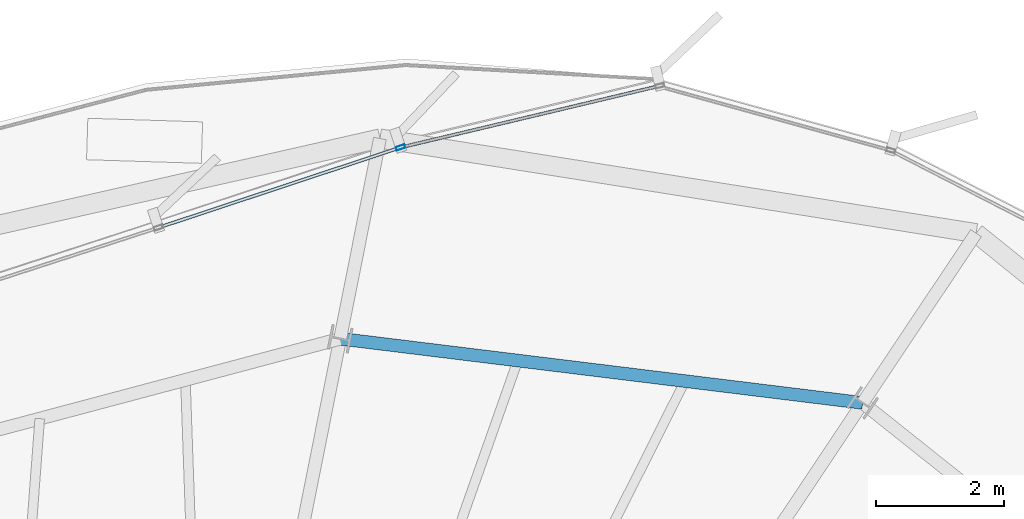
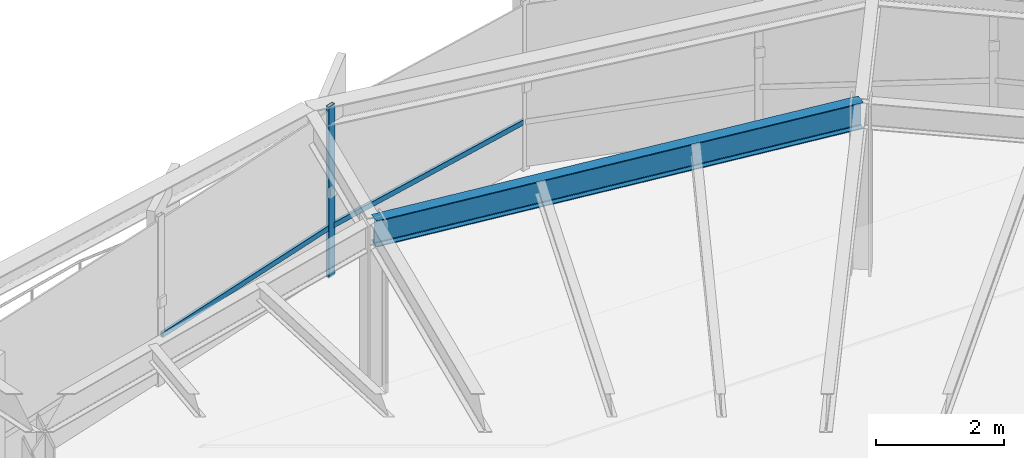
# One storey, part 22 of 33: 3 members, 1 beam, 1 element without a shape of its own.
"""IFC4 building model written with IfcOpenShell, lengths in metres."""

from ifc_helpers import new_model, si_unit, direction, frame, origin, origin_2d, place, context, subcontext, project, spatial, hollow_rectangle, i_section, extrude, source, transform, mapped, material, layer, layer_set, material_profile, profile_set, type_object, element, aggregate, save


model = new_model("IFC4")

# Units and contexts
model_context = context("Model", 3, precision=1e-05, world=origin(), true_north=direction((0.0, 1.0)))
body_context = subcontext(model_context, "Body", "Model", "MODEL_VIEW")
ifc_project = project(units=[si_unit("LENGTHUNIT", "METRE"), si_unit("AREAUNIT", "SQUARE_METRE"), si_unit("VOLUMEUNIT", "CUBIC_METRE"), si_unit("PLANEANGLEUNIT", "RADIAN"), si_unit("MASSUNIT", "GRAM", prefix="KILO"), si_unit("THERMODYNAMICTEMPERATUREUNIT", "KELVIN")], contexts=[model_context])

# Site, building, storey
site_placement = place(None, origin())
site = spatial("IfcSite", under=ifc_project, at=site_placement, CompositionType="ELEMENT")
building_placement = place(site_placement, origin())
building = spatial("IfcBuilding", under=site, at=building_placement, Name="Kethvar Cultural Tower", CompositionType="ELEMENT")
storey_placement = place(building_placement, frame((0.0, 0.0, 211.39990234375)))
storey = spatial("IfcBuildingStorey", under=building, at=storey_placement, Name="L55", CompositionType="ELEMENT", Elevation=211.39990234375)

# Beam
ifc_material_1 = material(Name="Steel S355J2", Category="steel")
ifc_material_profile_1 = material_profile(ifc_material_1, i_section(OverallWidth=0.199951171875, OverallDepth=0.5, WebThickness=0.01025390625, FlangeThickness=0.01611328125, FilletRadius=0.02099609375, at=origin_2d()), Name="Steel S355J2 — IPE500")
ifc_profile_set_1 = profile_set([ifc_material_profile_1], Name="Steel S355J2 — IPE500")
beam_type = type_object("IfcBeamType", Name="BM-IPE500", PredefinedType="BEAM", material=ifc_profile_set_1)
shared_shape_1 = source(origin(), body_context, "Body", "SweptSolid", [
    extrude(i_section(OverallWidth=0.199951171875, OverallDepth=0.5, WebThickness=0.01025390625, FlangeThickness=0.01611328125, FilletRadius=0.02099609375, at=origin_2d()), origin(), (0.0, 0.0, 1.0), 8.252685546875),
])
beam_placement = place(storey_placement, frame((58.748046875, 45.681396484375, 3.008056640625), z_axis=(-0.992540943467, 0.121911753093, 0.0), x_axis=(-0.121911753093, -0.992540943467, 0.0)))
element("IfcBeam", 1, at=beam_placement, inside=storey, type_object=beam_type, Name="L55 Column Ring Tie Beam CR-03", PredefinedType="BEAM", context=body_context, shape_type="MappedRepresentation", body=[
    mapped(shared_shape_1, transform((0.0, 0.0, 0.0), scale=1.0)),
])

# Curtain wall, members
ifc_material_2 = material(Name="Aluminium 6063-T6", Category="aluminium")
ifc_layer = layer(ifc_material_2, 0.179931640625, Name="Aluminium 6063-T6", Category="aluminium")
ifc_layer_set = layer_set([ifc_layer], Name="Aluminium 6063-T6 (180 mm)")
curtain_wall_type = type_object("IfcCurtainWallType", Name="CW-SYS-04-Z34", PredefinedType="NOTDEFINED", material=ifc_layer_set)
curtain_wall_placement = place(storey_placement, origin())
curtain_wall = element("IfcCurtainWall", 2, at=curtain_wall_placement, inside=storey, type_object=curtain_wall_type, Name="L55 Curtain Wall Run 01", PredefinedType="NOTDEFINED")
ifc_material_profile_2 = material_profile(ifc_material_2, hollow_rectangle(XDim=0.06005859375, YDim=0.139892578125, WallThickness=0.0048828125, at=origin_2d()), Name="Aluminium 6063-T6 — RHS140x60x5")
ifc_profile_set_2 = profile_set([ifc_material_profile_2], Name="Aluminium 6063-T6 — RHS140x60x5")
member_type_1 = type_object("IfcMemberType", Name="CW-SYS-04-Z34-MUL", PredefinedType="MULLION", material=ifc_profile_set_2)
shared_shape_2 = source(origin(), body_context, "Body", "SweptSolid", [
    extrude(hollow_rectangle(XDim=0.06005859375, YDim=0.139892578125, WallThickness=0.0048828125, at=origin_2d()), origin(), (0.0, 0.0, 1.0), 3.260009765625),
])
member_1_placement = place(storey_placement, frame((51.50390625, 49.68603515625, 0.0), z_axis=(0.0, 0.0, 1.0), x_axis=(0.314373554472, -0.949299356499, 0.0)))
member_1 = element("IfcMember", 3, at=member_1_placement, type_object=member_type_1, Name="CW-L55-R01 Mullion 5", PredefinedType="MULLION", context=body_context, shape_type="MappedRepresentation", body=[
    mapped(shared_shape_2, transform((0.0, 0.0, 0.0), scale=1.0)),
])
ifc_material_profile_3 = material_profile(ifc_material_2, hollow_rectangle(XDim=0.050048828125, YDim=0.10009765625, WallThickness=0.00390625, at=origin_2d()), Name="Aluminium 6063-T6 — RHS100x50x4")
ifc_profile_set_3 = profile_set([ifc_material_profile_3], Name="Aluminium 6063-T6 — RHS100x50x4")
member_type_2 = type_object("IfcMemberType", Name="CW-SYS-04-Z34-TRN", PredefinedType="USERDEFINED", material=ifc_profile_set_3)
shared_shape_3 = source(origin(), body_context, "Body", "SweptSolid", [
    extrude(hollow_rectangle(XDim=0.050048828125, YDim=0.10009765625, WallThickness=0.00390625, at=origin_2d()), origin(), (0.0, 0.0, 1.0), 4.102783203125),
])
member_2_placement = place(storey_placement, frame((55.5283203125, 50.642822265625, 0.9501953125), z_axis=(-0.972854717101, -0.231416722418, 0.0), x_axis=(0.231416722418, -0.972854717101, 0.0)))
member_2 = element("IfcMember", 4, at=member_2_placement, type_object=member_type_2, Name="CW-L55-R01 Transom 4", ObjectType="TRANSOM", PredefinedType="USERDEFINED", context=body_context, shape_type="MappedRepresentation", body=[
    mapped(shared_shape_3, transform((0.0, 0.0, 0.0), scale=1.0)),
])
shared_shape_4 = source(origin(), body_context, "Body", "SweptSolid", [
    extrude(hollow_rectangle(XDim=0.050048828125, YDim=0.10009765625, WallThickness=0.00390625, at=origin_2d()), origin(), (0.0, 0.0, 1.0), 3.911865234375),
])
member_3_placement = place(storey_placement, frame((51.462890625, 49.67236328125, 0.9501953125), z_axis=(-0.949305542009, -0.314354875754, 0.0), x_axis=(0.314354875754, -0.949305542009, 0.0)))
member_3 = element("IfcMember", 5, at=member_3_placement, type_object=member_type_2, Name="CW-L55-R01 Transom 5", ObjectType="TRANSOM", PredefinedType="USERDEFINED", context=body_context, shape_type="MappedRepresentation", body=[
    mapped(shared_shape_4, transform((0.0, 0.0, 0.0), scale=1.0)),
])
aggregate(curtain_wall, [member_1, member_2, member_3])

save(model, "model.ifc")
